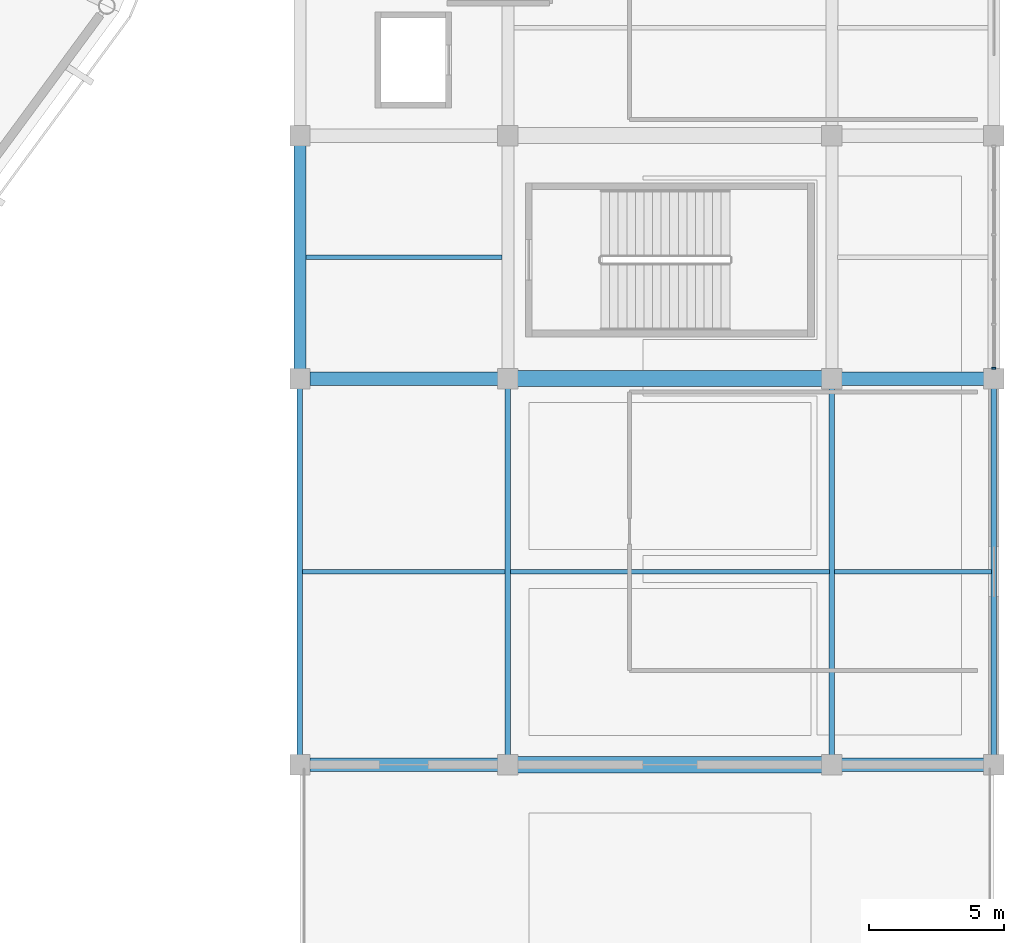
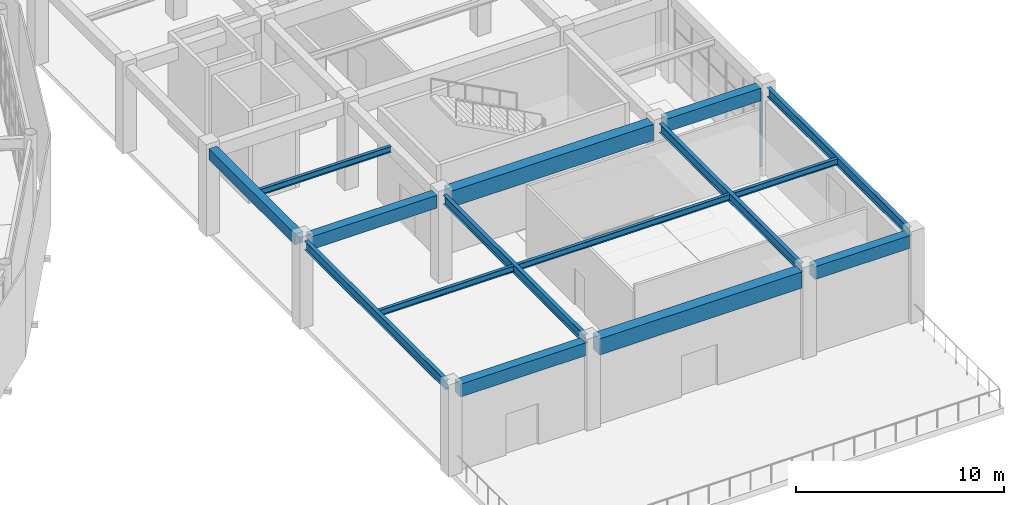
# One storey, part 33 of 70: 15 beams, 1 member, 1 element without a shape of its own.
"""IFC4 building model written with IfcOpenShell, lengths in metres."""

from ifc_helpers import new_model, si_unit, direction, frame, origin, origin_2d, place, context, subcontext, project, spatial, rectangle, i_section, extrude, material, material_profile, profile_set, type_object, element, aggregate, save


model = new_model("IFC4")

# Units and contexts
model_context = context("Model", 3, precision=1e-05, world=origin(), true_north=direction((0.0, 1.0)))
body_context = subcontext(model_context, "Body", "Model", "MODEL_VIEW")
ifc_project = project(units=[si_unit("LENGTHUNIT", "METRE"), si_unit("AREAUNIT", "SQUARE_METRE"), si_unit("VOLUMEUNIT", "CUBIC_METRE"), si_unit("PLANEANGLEUNIT", "RADIAN"), si_unit("MASSUNIT", "GRAM", prefix="KILO")], contexts=[model_context])

# Site, building, storey
site_placement = place(None, origin())
site = spatial("IfcSite", under=ifc_project, at=site_placement, CompositionType="ELEMENT")
building_placement = place(site_placement, origin())
building = spatial("IfcBuilding", under=site, at=building_placement, Name="Cuetzalor Civic Arena", CompositionType="ELEMENT")
storey_placement = place(building_placement, frame((0.0, 0.0, 21.0)))
storey = spatial("IfcBuildingStorey", under=building, at=storey_placement, Name="L04", CompositionType="ELEMENT", Elevation=21.0)

# Beams
ifc_material_1 = material(Name="Concrete C40/50", Category="concrete")
ifc_material_profile_1 = material_profile(ifc_material_1, rectangle(XDim=0.5, YDim=0.75, at=origin_2d()), Name="RC 500x750")
ifc_profile_set_1 = profile_set([ifc_material_profile_1], Name="Concrete C40/50")
beam_type_1 = type_object("IfcBeamType", Name="ConcreteFrameBeam_500x750", PredefinedType="BEAM", material=ifc_profile_set_1)
beam_1_placement = place(storey_placement, frame((56.6650390625, -48.300048828125, 4.7451171875), z_axis=(1.0, 0.0, 0.0), x_axis=(0.0, 1.0, 0.0)))
element("IfcBeam", 1, at=beam_1_placement, inside=storey, type_object=beam_type_1, Name="Frame Girder V4E-L04-X1148", PredefinedType="BEAM", context=body_context, shape_type="SweptSolid", body=[
    extrude(rectangle(XDim=0.5, YDim=0.75, at=origin_2d()), origin(), (0.0, 0.0, 1.0), 6.969970703125),
])
beam_2_placement = place(storey_placement, frame((76.364990234375, -48.300048828125, 4.7451171875), z_axis=(1.0, 0.0, 0.0), x_axis=(0.0, 1.0, 0.0)))
element("IfcBeam", 2, at=beam_2_placement, inside=storey, type_object=beam_type_1, Name="Frame Girder V4E-L04-X1150", PredefinedType="BEAM", context=body_context, shape_type="SweptSolid", body=[
    extrude(rectangle(XDim=0.5, YDim=0.75, at=origin_2d()), origin(), (0.0, 0.0, 1.0), 5.27001953125),
])
beam_3_placement = place(storey_placement, frame((56.6650390625, -34.0, 4.7451171875), z_axis=(1.0, 0.0, 0.0), x_axis=(0.0, 1.0, 0.0)))
element("IfcBeam", 3, at=beam_3_placement, inside=storey, type_object=beam_type_1, Name="Frame Girder V4E-L04-X1151", PredefinedType="BEAM", context=body_context, shape_type="SweptSolid", body=[
    extrude(rectangle(XDim=0.5, YDim=0.75, at=origin_2d()), origin(), (0.0, 0.0, 1.0), 6.969970703125),
])
beam_4_placement = place(storey_placement, frame((76.364990234375, -34.0, 4.7451171875), z_axis=(1.0, 0.0, 0.0), x_axis=(0.0, 1.0, 0.0)))
element("IfcBeam", 4, at=beam_4_placement, inside=storey, type_object=beam_type_1, Name="Frame Girder V4E-L04-X1153", PredefinedType="BEAM", context=body_context, shape_type="SweptSolid", body=[
    extrude(rectangle(XDim=0.5, YDim=0.75, at=origin_2d()), origin(), (0.0, 0.0, 1.0), 5.27001953125),
])
ifc_material_2 = material(Name="Concrete C40/50", Category="concrete")
ifc_material_profile_2 = material_profile(ifc_material_2, rectangle(XDim=0.60009765625, YDim=0.949951171875, at=origin_2d()), Name="RC 600x950")
ifc_profile_set_2 = profile_set([ifc_material_profile_2], Name="Concrete C40/50")
beam_type_2 = type_object("IfcBeamType", Name="ConcreteFrameBeam_600x950", PredefinedType="BEAM", material=ifc_profile_set_2)
for number, where, z_axis, x_axis, name in (
    (5, (64.364990234375, -48.300048828125, 4.64501953125), (1.0, 0.0, 0.0), (0.0, 1.0, 0.0), "Frame Girder V4E-L04-X1149"),
    (6, (64.364990234375, -34.0, 4.64501953125), (1.0, 0.0, 0.0), (0.0, 1.0, 0.0), "Frame Girder V4E-L04-X1152"),
):
    element("IfcBeam", number, at=place(storey_placement, frame(where, z_axis=z_axis, x_axis=x_axis)), inside=storey, type_object=beam_type_2, Name=name, PredefinedType="BEAM", context=body_context, shape_type="SweptSolid", body=[
        extrude(rectangle(XDim=0.60009765625, YDim=0.949951171875, at=origin_2d()), origin(), (0.0, 0.0, 1.0), 11.27001953125),
    ])
ifc_material_3 = material(Name="Concrete C40/50", Category="concrete")
ifc_material_profile_3 = material_profile(ifc_material_3, rectangle(XDim=0.449951171875, YDim=0.64990234375, at=origin_2d()), Name="RC 450x650")
ifc_profile_set_3 = profile_set([ifc_material_profile_3], Name="Concrete C40/50")
beam_type_3 = type_object("IfcBeamType", Name="ConcreteTieBeam_450x650", PredefinedType="BEAM", material=ifc_profile_set_3)
beam_5_placement = place(storey_placement, frame((56.300048828125, -33.635009765625, 4.794921875), z_axis=(0.0, 1.0, 0.0), x_axis=(-1.0, 0.0, 0.0)))
element("IfcBeam", 7, at=beam_5_placement, inside=storey, type_object=beam_type_3, Name="Frame Girder V4E-L04-Y1176", PredefinedType="BEAM", context=body_context, shape_type="SweptSolid", body=[
    extrude(rectangle(XDim=0.449951171875, YDim=0.64990234375, at=origin_2d()), origin(), (0.0, 0.0, 1.0), 8.27001953125),
])

# Curtain wall, member
ifc_material_4 = material(Name="Anodised dark bronze aluminium and low-E solar glass", Category="aluminium")
curtain_wall_type = type_object("IfcCurtainWallType", Name="UnitisedCW_8300x4350", PredefinedType="USERDEFINED", material=ifc_material_4)
curtain_wall_placement = place(storey_placement, origin())
curtain_wall = element("IfcCurtainWall", 8, at=curtain_wall_placement, inside=storey, type_object=curtain_wall_type, Name="V4E Suite Viewing Curtain Wall L04-150", ObjectType="UNITISED CURTAIN WALL", PredefinedType="USERDEFINED")
ifc_material_5 = material(Name="Anodised dark bronze aluminium", Category="aluminium")
ifc_material_profile_4 = material_profile(ifc_material_5, rectangle(XDim=0.06494140625, YDim=0.14990234375, at=origin_2d()), Name="ALU MULLION 65x150")
ifc_profile_set_4 = profile_set([ifc_material_profile_4], Name="Anodised dark bronze aluminium")
member_type = type_object("IfcMemberType", Name="CurtainWallMullion_60x150", PredefinedType="MULLION", material=ifc_profile_set_4)
member_placement = place(storey_placement, frame((82.0, -33.610595703125, 0.0), z_axis=(0.0, 0.0, 1.0), x_axis=(0.0, -1.0, 0.0)))
member = element("IfcMember", 9, at=member_placement, type_object=member_type, Name="CW-46 mullion 6", PredefinedType="MULLION", context=body_context, shape_type="SweptSolid", body=[
    extrude(rectangle(XDim=0.06494140625, YDim=0.14990234375, at=origin_2d()), origin(), (0.0, 0.0, 1.0), 4.360107421875),
])
aggregate(curtain_wall, [member])

# Beams
ifc_material_6 = material(Name="Steel S355", Category="steel")
ifc_material_profile_5 = material_profile(ifc_material_6, i_section(OverallWidth=0.1708984375, OverallDepth=0.35498046875, WebThickness=0.007080078125, FlangeThickness=0.01171875, at=origin_2d()), Name="W360x51")
ifc_profile_set_5 = profile_set([ifc_material_profile_5], Name="Steel S355")
beam_type_4 = type_object("IfcBeamType", Name="SecondaryFloorJoist_W360", PredefinedType="JOIST", material=ifc_profile_set_5)
beam_6_placement = place(storey_placement, frame((56.396484375, -41.14990234375, 4.9423828125), z_axis=(1.0, 0.0, 0.0), x_axis=(0.0, 1.0, 0.0)))
element("IfcBeam", 10, at=beam_6_placement, inside=storey, type_object=beam_type_4, Name="Secondary Floor Joist V4E-L04-0357", PredefinedType="JOIST", context=body_context, shape_type="SweptSolid", body=[
    extrude(i_section(OverallWidth=0.1708984375, OverallDepth=0.35498046875, WebThickness=0.007080078125, FlangeThickness=0.01171875, at=origin_2d()), origin(), (0.0, 0.0, 1.0), 7.507080078125),
])
beam_7_placement = place(storey_placement, frame((56.51708984375, -29.5, 4.9423828125), z_axis=(1.0, 0.0, 0.0), x_axis=(0.0, 1.0, 0.0)))
element("IfcBeam", 11, at=beam_7_placement, inside=storey, type_object=beam_type_4, Name="Secondary Floor Joist V4E-L04-0358", PredefinedType="JOIST", context=body_context, shape_type="SweptSolid", body=[
    extrude(i_section(OverallWidth=0.1708984375, OverallDepth=0.35498046875, WebThickness=0.007080078125, FlangeThickness=0.01171875, at=origin_2d()), origin(), (0.0, 0.0, 1.0), 7.265869140625),
])
beam_8_placement = place(storey_placement, frame((64.096435546875, -41.14990234375, 4.9423828125), z_axis=(1.0, 0.0, 0.0), x_axis=(0.0, 1.0, 0.0)))
element("IfcBeam", 12, at=beam_8_placement, inside=storey, type_object=beam_type_4, Name="Secondary Floor Joist V4E-L04-0364", PredefinedType="JOIST", context=body_context, shape_type="SweptSolid", body=[
    extrude(i_section(OverallWidth=0.1708984375, OverallDepth=0.35498046875, WebThickness=0.007080078125, FlangeThickness=0.01171875, at=origin_2d()), origin(), (0.0, 0.0, 1.0), 11.80712890625),
])
beam_9_placement = place(storey_placement, frame((76.096435546875, -41.14990234375, 4.9423828125), z_axis=(1.0, 0.0, 0.0), x_axis=(0.0, 1.0, 0.0)))
element("IfcBeam", 13, at=beam_9_placement, inside=storey, type_object=beam_type_4, Name="Secondary Floor Joist V4E-L04-0370", PredefinedType="JOIST", context=body_context, shape_type="SweptSolid", body=[
    extrude(i_section(OverallWidth=0.1708984375, OverallDepth=0.35498046875, WebThickness=0.007080078125, FlangeThickness=0.01171875, at=origin_2d()), origin(), (0.0, 0.0, 1.0), 5.80712890625),
])
ifc_material_7 = material(Name="Steel S355", Category="steel")
ifc_material_profile_6 = material_profile(ifc_material_7, i_section(OverallWidth=0.208984375, OverallDepth=0.532958984375, WebThickness=0.01025390625, FlangeThickness=0.015625, at=origin_2d()), Name="W530x92")
ifc_profile_set_6 = profile_set([ifc_material_profile_6], Name="Steel S355")
beam_type_5 = type_object("IfcBeamType", Name="SteelCollarGirder_W530", PredefinedType="BEAM", material=ifc_profile_set_6)
for number, where, z_axis, x_axis, name in (
    (14, (56.300048828125, -47.93505859375, 4.853515625), (0.0, 1.0, 0.0), (-1.0, 0.0, 0.0), "Frame Girder V4E-L04-Y1175"),
    (15, (64.0, -47.93505859375, 4.853515625), (0.0, 1.0, 0.0), (-1.0, 0.0, 0.0), "Frame Girder V4E-L04-Y1183"),
    (16, (76.0, -47.93505859375, 4.853515625), (0.0, 1.0, 0.0), (-1.0, 0.0, 0.0), "Frame Girder V4E-L04-Y1191"),
    (17, (82.0, -47.93505859375, 4.853515625), (0.0, 1.0, 0.0), (-1.0, 0.0, 0.0), "Frame Girder V4E-L04-Y1199"),
):
    element("IfcBeam", number, at=place(storey_placement, frame(where, z_axis=z_axis, x_axis=x_axis)), inside=storey, type_object=beam_type_5, Name=name, PredefinedType="BEAM", context=body_context, shape_type="SweptSolid", body=[
        extrude(i_section(OverallWidth=0.208984375, OverallDepth=0.532958984375, WebThickness=0.01025390625, FlangeThickness=0.015625, at=origin_2d()), origin(), (0.0, 0.0, 1.0), 13.570068359375),
    ])

save(model, "model.ifc")
